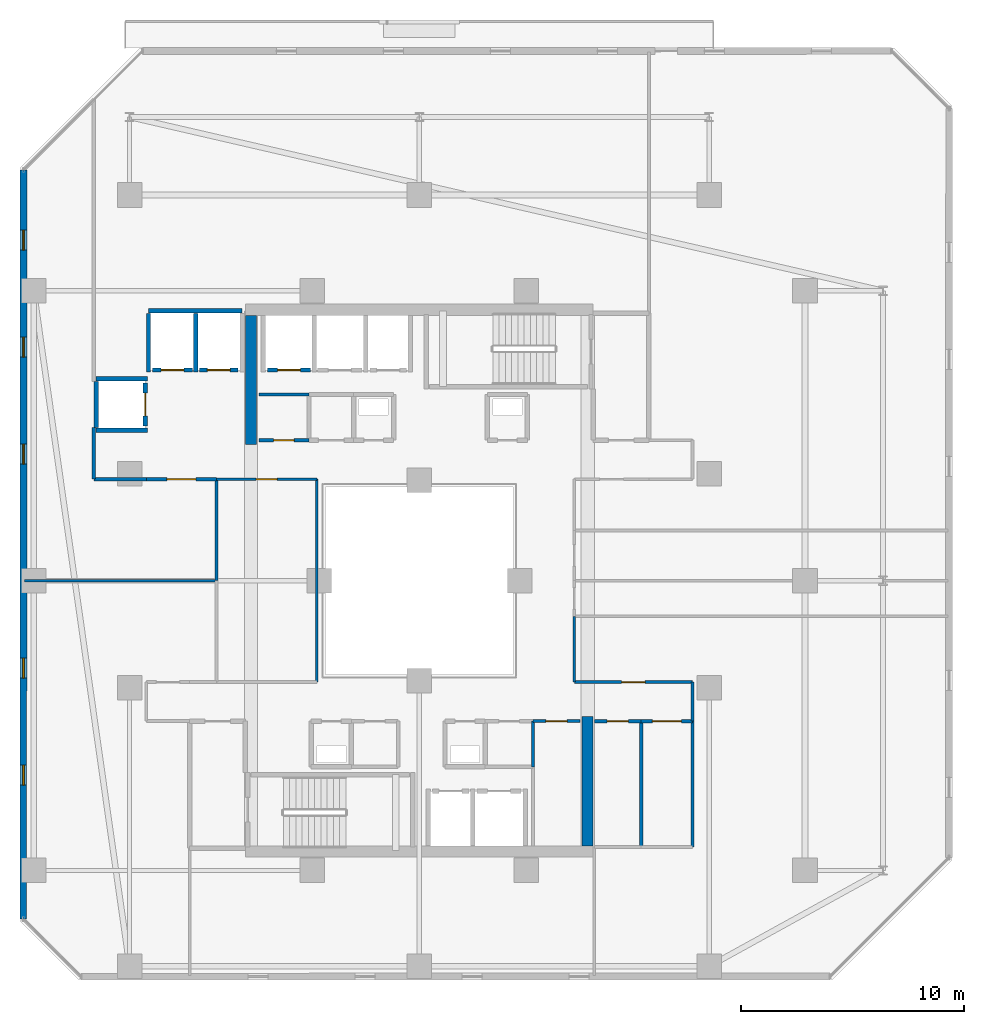
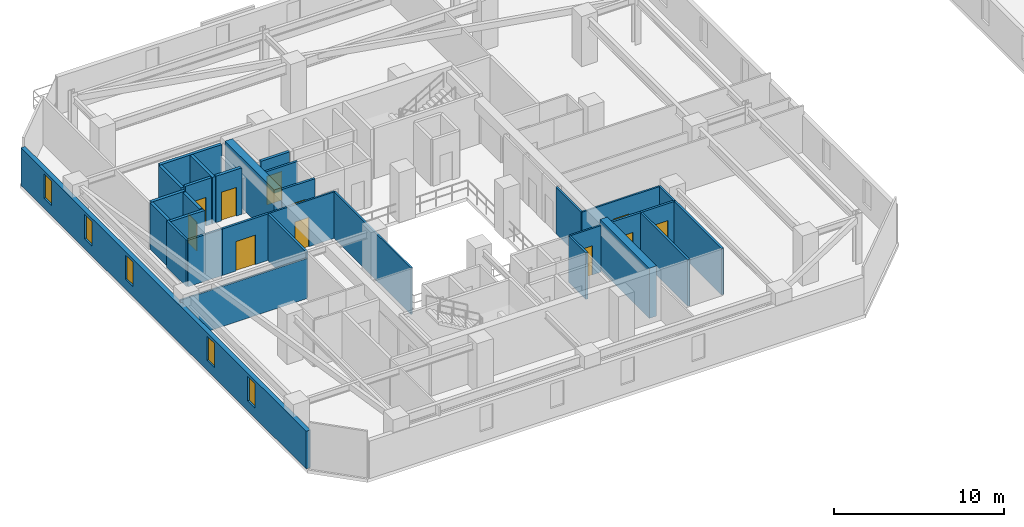
# One storey, part 20 of 33: 31 walls, 11 doors, 5 windows, 16 openings.
"""IFC4 building model written with IfcOpenShell, lengths in metres."""

from ifc_helpers import new_model, si_unit, direction, frame, frame_2d, origin, place, context, subcontext, project, spatial, rectangle, extrude, material, layer, layer_set, type_object, element, fill, save


model = new_model("IFC4")

# Units and contexts
model_context = context("Model", 3, precision=1e-05, world=origin(), true_north=direction((0.0, 1.0)))
body_context = subcontext(model_context, "Body", "Model", "MODEL_VIEW")
ifc_project = project(units=[si_unit("LENGTHUNIT", "METRE"), si_unit("AREAUNIT", "SQUARE_METRE"), si_unit("VOLUMEUNIT", "CUBIC_METRE"), si_unit("PLANEANGLEUNIT", "RADIAN"), si_unit("MASSUNIT", "GRAM", prefix="KILO")], contexts=[model_context])

# Site, building, storey
site_placement = place(None, origin())
site = spatial("IfcSite", under=ifc_project, at=site_placement, CompositionType="ELEMENT")
building_placement = place(site_placement, origin())
building = spatial("IfcBuilding", under=site, at=building_placement, Name="Thornwick Lancets Civic Towers", CompositionType="ELEMENT")
storey_placement = place(building_placement, frame((0.0, 0.0, 185.699951171875)))
storey = spatial("IfcBuildingStorey", under=building, at=storey_placement, Name="L49", CompositionType="ELEMENT", Elevation=185.699951171875)

# Wall, opening, door
ifc_material_1 = material(Name="Concrete blockwork C40/50", Category="masonry")
ifc_layer_1 = layer(ifc_material_1, 0.199951171875, Name="Concrete blockwork C40/50")
ifc_layer_set_1 = layer_set([ifc_layer_1], Name="Concrete blockwork C40/50")
wall_type_1 = type_object("IfcWallType", Name="WALL_COMP_200", PredefinedType="STANDARD", material=ifc_layer_set_1)
wall_1_placement = place(storey_placement, frame((20.6201171875, 36.449951171875, 0.0), z_axis=(0.0, 0.0, 1.0), x_axis=(-1.0, 0.0, 0.0)))
wall_1 = element("IfcWall", 1, at=wall_1_placement, inside=storey, type_object=wall_type_1, Name="L49 Hoistway Front Wall PL-AH3", PredefinedType="STANDARD", context=body_context, shape_type="SweptSolid", body=[
    extrude(rectangle(XDim=1.940185546875, YDim=0.199951171875, at=frame_2d((0.97021484375, 0.0))), origin(), (0.0, 0.0, 1.0), 3.340087890625),
])
opening_1_placement = place(wall_1_placement, frame((0.4599609375, 0.0, 0.0)))
opening_1 = element("IfcOpeningElement", 2, at=opening_1_placement, cuts=wall_1, Name="Opening LD-PL-AH3", PredefinedType="OPENING", context=body_context, shape_type="SweptSolid", body=[
    extrude(rectangle(XDim=1.02001953125, YDim=2.06005859375, at=frame_2d((0.510009765625, 1.030029296875))), frame((0.0, 0.10986328125, 0.0), z_axis=(0.0, -1.0, 0.0), x_axis=(1.0, 0.0, 0.0)), (0.0, 0.0, 1.0), 0.219970703125),
])
ifc_material_2 = material(Name="Brushed bronze stainless steel", Category="steel")
door_type_1 = type_object("IfcDoorType", Name="DOOR_LIFT_SLIDE", OperationType="SLIDING_TO_LEFT", PredefinedType="DOOR", material=ifc_material_2)
door_1_placement = place(opening_1_placement, origin())
door_1 = element("IfcDoor", 3, at=door_1_placement, inside=storey, type_object=door_type_1, Name="L49 Sliding Lift Landing Door LD-PL-AH3", OperationType="SLIDING_TO_LEFT", OverallHeight=2.06005859375, OverallWidth=1.02001953125, PredefinedType="DOOR", context=body_context, shape_type="SweptSolid", body=[
    extrude(rectangle(XDim=1.02001953125, YDim=2.06005859375, at=frame_2d((0.510009765625, 1.030029296875))), frame((0.0, 0.02490234375, 0.0), z_axis=(0.0, -1.0, 0.0), x_axis=(1.0, 0.0, 0.0)), (0.0, 0.0, 1.0), 0.050048828125),
])
fill(opening_1, door_1)

wall_2_placement = place(storey_placement, frame((17.3701171875, 36.449951171875, 0.0), z_axis=(0.0, 0.0, 1.0), x_axis=(-1.0, 0.0, 0.0)))
wall_2 = element("IfcWall", 4, at=wall_2_placement, inside=storey, type_object=wall_type_1, Name="L49 Hoistway Front Wall PL-AM1", PredefinedType="STANDARD", context=body_context, shape_type="SweptSolid", body=[
    extrude(rectangle(XDim=1.740234375, YDim=0.199951171875, at=frame_2d((0.8701171875, 0.0))), origin(), (0.0, 0.0, 1.0), 3.340087890625),
])
opening_2_placement = place(wall_2_placement, frame((0.360107421875, 0.0, 0.0)))
opening_2 = element("IfcOpeningElement", 5, at=opening_2_placement, cuts=wall_2, Name="Opening LD-PL-AM1", PredefinedType="OPENING", context=body_context, shape_type="SweptSolid", body=[
    extrude(rectangle(XDim=1.02001953125, YDim=2.06005859375, at=frame_2d((0.510009765625, 1.030029296875))), frame((0.0, 0.10986328125, 0.0), z_axis=(0.0, -1.0, 0.0), x_axis=(1.0, 0.0, 0.0)), (0.0, 0.0, 1.0), 0.219970703125),
])
door_2_placement = place(opening_2_placement, origin())
door_2 = element("IfcDoor", 6, at=door_2_placement, inside=storey, type_object=door_type_1, Name="L49 Sliding Lift Landing Door LD-PL-AM1", OperationType="SLIDING_TO_LEFT", OverallHeight=2.06005859375, OverallWidth=1.02001953125, PredefinedType="DOOR", context=body_context, shape_type="SweptSolid", body=[
    extrude(rectangle(XDim=1.02001953125, YDim=2.06005859375, at=frame_2d((0.510009765625, 1.030029296875))), frame((0.0, 0.02490234375, 0.0), z_axis=(0.0, -1.0, 0.0), x_axis=(1.0, 0.0, 0.0)), (0.0, 0.0, 1.0), 0.050048828125),
])
fill(opening_2, door_2)

wall_3_placement = place(storey_placement, frame((15.320068359375, 36.449951171875, 0.0), z_axis=(0.0, 0.0, 1.0), x_axis=(-1.0, 0.0, 0.0)))
wall_3 = element("IfcWall", 7, at=wall_3_placement, inside=storey, type_object=wall_type_1, Name="L49 Hoistway Front Wall PL-AM2", PredefinedType="STANDARD", context=body_context, shape_type="SweptSolid", body=[
    extrude(rectangle(XDim=1.7900390625, YDim=0.199951171875, at=frame_2d((0.89501953125, 0.0))), origin(), (0.0, 0.0, 1.0), 3.340087890625),
])
opening_3_placement = place(wall_3_placement, frame((0.385009765625, 0.0, 0.0)))
opening_3 = element("IfcOpeningElement", 8, at=opening_3_placement, cuts=wall_3, Name="Opening LD-PL-AM2", PredefinedType="OPENING", context=body_context, shape_type="SweptSolid", body=[
    extrude(rectangle(XDim=1.02001953125, YDim=2.06005859375, at=frame_2d((0.510009765625, 1.030029296875))), frame((0.0, 0.10986328125, 0.0), z_axis=(0.0, -1.0, 0.0), x_axis=(1.0, 0.0, 0.0)), (0.0, 0.0, 1.0), 0.219970703125),
])
door_3_placement = place(opening_3_placement, origin())
door_3 = element("IfcDoor", 9, at=door_3_placement, inside=storey, type_object=door_type_1, Name="L49 Sliding Lift Landing Door LD-PL-AM2", OperationType="SLIDING_TO_LEFT", OverallHeight=2.06005859375, OverallWidth=1.02001953125, PredefinedType="DOOR", context=body_context, shape_type="SweptSolid", body=[
    extrude(rectangle(XDim=1.02001953125, YDim=2.06005859375, at=frame_2d((0.510009765625, 1.030029296875))), frame((0.0, 0.02490234375, 0.0), z_axis=(0.0, -1.0, 0.0), x_axis=(1.0, 0.0, 0.0)), (0.0, 0.0, 1.0), 0.050048828125),
])
fill(opening_3, door_3)

wall_4_placement = place(storey_placement, frame((13.199951171875, 33.929931640625, 0.0), z_axis=(0.0, 0.0, 1.0), x_axis=(0.0, 1.0, 0.0)))
wall_4 = element("IfcWall", 10, at=wall_4_placement, inside=storey, type_object=wall_type_1, Name="L49 Hoistway Front Wall PL-AM3", PredefinedType="STANDARD", context=body_context, shape_type="SweptSolid", body=[
    extrude(rectangle(XDim=1.940185546875, YDim=0.199951171875, at=frame_2d((0.97021484375, 0.0))), origin(), (0.0, 0.0, 1.0), 3.340087890625),
])
opening_4_placement = place(wall_4_placement, frame((0.4599609375, 0.0, 0.0)))
opening_4 = element("IfcOpeningElement", 11, at=opening_4_placement, cuts=wall_4, Name="Opening LD-PL-AM3", PredefinedType="OPENING", context=body_context, shape_type="SweptSolid", body=[
    extrude(rectangle(XDim=1.02001953125, YDim=2.06005859375, at=frame_2d((0.510009765625, 1.030029296875))), frame((0.0, 0.10986328125, 0.0), z_axis=(0.0, -1.0, 0.0), x_axis=(1.0, 0.0, 0.0)), (0.0, 0.0, 1.0), 0.219970703125),
])
door_4_placement = place(opening_4_placement, origin())
door_4 = element("IfcDoor", 12, at=door_4_placement, inside=storey, type_object=door_type_1, Name="L49 Sliding Lift Landing Door LD-PL-AM3", OperationType="SLIDING_TO_LEFT", OverallHeight=2.06005859375, OverallWidth=1.02001953125, PredefinedType="DOOR", context=body_context, shape_type="SweptSolid", body=[
    extrude(rectangle(XDim=1.02001953125, YDim=2.06005859375, at=frame_2d((0.510009765625, 1.030029296875))), frame((0.0, 0.02490234375, 0.0), z_axis=(0.0, -1.0, 0.0), x_axis=(1.0, 0.0, 0.0)), (0.0, 0.0, 1.0), 0.050048828125),
])
fill(opening_4, door_4)

# Walls
wall_5_placement = place(storey_placement, frame((13.35205078125, 39.10009765625, 0.0), z_axis=(0.0, 0.0, 1.0), x_axis=(1.0, 0.0, 0.0)))
element("IfcWall", 13, at=wall_5_placement, inside=storey, type_object=wall_type_1, Name="L49 Hoistway Shaft Wall PL-AM1 N", PredefinedType="STANDARD", context=body_context, shape_type="SweptSolid", body=[
    extrude(rectangle(XDim=4.196044921875, YDim=0.199951171875, at=frame_2d((2.09814453125, 0.0))), origin(), (0.0, 0.0, 1.0), 3.340087890625),
])
for number, where, z_axis, x_axis, name in (
    (14, (15.47509765625, 36.35205078125, 0.0), (0.0, 0.0, 1.0), (0.0, 1.0, 0.0), "L49 Hoistway Shaft Wall PL-AM1 W"),
    (15, (13.35009765625, 36.35205078125, 0.0), (0.0, 0.0, 1.0), (0.0, 1.0, 0.0), "L49 Hoistway Shaft Wall PL-AM2 W"),
):
    element("IfcWall", number, at=place(storey_placement, frame(where, z_axis=z_axis, x_axis=x_axis)), inside=storey, type_object=wall_type_1, Name=name, PredefinedType="STANDARD", context=body_context, shape_type="SweptSolid", body=[
        extrude(rectangle(XDim=2.635986328125, YDim=0.199951171875, at=frame_2d((1.31787109375, 0.0))), origin(), (0.0, 0.0, 1.0), 3.340087890625),
    ])
for number, where, z_axis, x_axis, name in (
    (16, (11.001953125, 36.050048828125, 0.0), (0.0, 0.0, 1.0), (1.0, 0.0, 0.0), "L49 Hoistway Shaft Wall PL-AM3 N"),
    (17, (11.001953125, 33.75, 0.0), (0.0, 0.0, 1.0), (1.0, 0.0, 0.0), "L49 Hoistway Shaft Wall PL-AM3 S"),
):
    element("IfcWall", number, at=place(storey_placement, frame(where, z_axis=z_axis, x_axis=x_axis)), inside=storey, type_object=wall_type_1, Name=name, PredefinedType="STANDARD", context=body_context, shape_type="SweptSolid", body=[
        extrude(rectangle(XDim=2.296142578125, YDim=0.199951171875, at=frame_2d((1.14794921875, 0.0))), origin(), (0.0, 0.0, 1.0), 3.340087890625),
    ])
wall_6_placement = place(storey_placement, frame((11.0, 33.862060546875, 0.0), z_axis=(0.0, 0.0, 1.0), x_axis=(0.0, 1.0, 0.0)))
element("IfcWall", 18, at=wall_6_placement, inside=storey, type_object=wall_type_1, Name="L49 Hoistway Shaft Wall PL-AM3 W", PredefinedType="STANDARD", context=body_context, shape_type="SweptSolid", body=[
    extrude(rectangle(XDim=2.075927734375, YDim=0.199951171875, at=frame_2d((1.0380859375, 0.0))), origin(), (0.0, 0.0, 1.0), 3.340087890625),
])
ifc_material_3 = material(Name="Concrete C50/60", Category="concrete")
ifc_layer_2 = layer(ifc_material_3, 0.5, Name="Concrete C50/60")
ifc_layer_set_2 = layer_set([ifc_layer_2], Name="Concrete C50/60")
wall_type_2 = type_object("IfcWallType", Name="WALL_CORE_500", PredefinedType="SHEAR", material=ifc_layer_set_2)
for number, where, z_axis, x_axis, name in (
    (19, (33.050048828125, 15.10009765625, 0.0), (0.0, 0.0, 1.0), (0.0, 1.0, 0.0), "L49 Split Core A1 Shear Wall E"),
    (20, (17.949951171875, 33.10009765625, 0.0), (0.0, 0.0, 1.0), (0.0, 1.0, 0.0), "L49 Split Core A2 Shear Wall W"),
):
    element("IfcWall", number, at=place(storey_placement, frame(where, z_axis=z_axis, x_axis=x_axis)), inside=storey, type_object=wall_type_2, Name=name, PredefinedType="SHEAR", context=body_context, shape_type="SweptSolid", body=[
        extrude(rectangle(XDim=5.7998046875, YDim=0.5, at=frame_2d((2.89990234375, 0.0))), origin(), (0.0, 0.0, 1.0), 3.60009765625),
    ])

# Wall, openings, windows
ifc_material_4 = material(Name="Insulated russet terracotta rainscreen on concrete C40/50", Category="masonry")
ifc_layer_3 = layer(ifc_material_4, 0.300048828125, Name="Insulated russet terracotta rainscreen on concrete C40/50")
ifc_layer_set_3 = layer_set([ifc_layer_3], Name="Insulated russet terracotta rainscreen on concrete C40/50")
wall_type_3 = type_object("IfcWallType", Name="WALL_EXT_RUSSET_300", PredefinedType="STANDARD", material=ifc_layer_set_3)
wall_7_placement = place(storey_placement, frame((7.744384765625, 45.423583984375, 0.0), z_axis=(0.0, 0.0, 1.0), x_axis=(-0.000268805477, -0.999999963872, 0.0)))
wall_7 = element("IfcWall", 21, at=wall_7_placement, inside=storey, type_object=wall_type_3, Name="L49 Tower A Terracotta Facade Wall E6", PredefinedType="STANDARD", context=body_context, shape_type="SweptSolid", body=[
    extrude(rectangle(XDim=33.60498046875, YDim=0.300048828125, at=frame_2d((16.802490234375, 0.0))), origin(), (0.0, 0.0, 1.0), 2.699951171875),
])
opening_5_placement = place(wall_7_placement, frame((2.699951171875, 0.0, 0.719970703125)))
opening_5 = element("IfcOpeningElement", 22, at=opening_5_placement, cuts=wall_7, Name="Opening WL-01", PredefinedType="OPENING", context=body_context, shape_type="SweptSolid", body=[
    extrude(rectangle(XDim=0.89990234375, YDim=1.75, at=frame_2d((0.449951171875, 0.875))), frame((0.0, 0.16015625, 0.0), z_axis=(0.0, -1.0, 0.0), x_axis=(1.0, 0.0, 0.0)), (0.0, 0.0, 1.0), 0.320068359375),
])
opening_6_placement = place(wall_7_placement, frame((7.5, 0.0, 0.719970703125)))
opening_6 = element("IfcOpeningElement", 23, at=opening_6_placement, cuts=wall_7, Name="Opening WL-01", PredefinedType="OPENING", context=body_context, shape_type="SweptSolid", body=[
    extrude(rectangle(XDim=0.89990234375, YDim=1.75, at=frame_2d((0.449951171875, 0.875))), frame((0.0, 0.16015625, 0.0), z_axis=(0.0, -1.0, 0.0), x_axis=(1.0, 0.0, 0.0)), (0.0, 0.0, 1.0), 0.320068359375),
])
opening_7_placement = place(wall_7_placement, frame((12.300048828125, 0.0, 0.719970703125)))
opening_7 = element("IfcOpeningElement", 24, at=opening_7_placement, cuts=wall_7, Name="Opening WL-01", PredefinedType="OPENING", context=body_context, shape_type="SweptSolid", body=[
    extrude(rectangle(XDim=0.89990234375, YDim=1.75, at=frame_2d((0.449951171875, 0.875))), frame((0.0, 0.16015625, 0.0), z_axis=(0.0, -1.0, 0.0), x_axis=(1.0, 0.0, 0.0)), (0.0, 0.0, 1.0), 0.320068359375),
])
opening_8_placement = place(wall_7_placement, frame((21.89990234375, 0.0, 0.719970703125)))
opening_8 = element("IfcOpeningElement", 25, at=opening_8_placement, cuts=wall_7, Name="Opening WL-01", PredefinedType="OPENING", context=body_context, shape_type="SweptSolid", body=[
    extrude(rectangle(XDim=0.89990234375, YDim=1.75, at=frame_2d((0.449951171875, 0.875))), frame((0.0, 0.16015625, 0.0), z_axis=(0.0, -1.0, 0.0), x_axis=(1.0, 0.0, 0.0)), (0.0, 0.0, 1.0), 0.320068359375),
])
opening_9_placement = place(wall_7_placement, frame((26.699951171875, 0.0, 0.719970703125)))
opening_9 = element("IfcOpeningElement", 26, at=opening_9_placement, cuts=wall_7, Name="Opening WL-01", PredefinedType="OPENING", context=body_context, shape_type="SweptSolid", body=[
    extrude(rectangle(XDim=0.89990234375, YDim=1.75, at=frame_2d((0.449951171875, 0.875))), frame((0.0, 0.16015625, 0.0), z_axis=(0.0, -1.0, 0.0), x_axis=(1.0, 0.0, 0.0)), (0.0, 0.0, 1.0), 0.320068359375),
])
ifc_material_5 = material(Name="Clear low-e double glazing in bronze frame", Category="glass")
window_type = type_object("IfcWindowType", Name="WIN_LANCET_900", PartitioningType="SINGLE_PANEL", PredefinedType="WINDOW", material=ifc_material_5)
window_1_placement = place(opening_5_placement, origin())
window_1 = element("IfcWindow", 27, at=window_1_placement, inside=storey, type_object=window_type, Name="L49 Tower A Staggered Lancet Window E6-1", OverallHeight=1.75, OverallWidth=0.89990234375, PartitioningType="SINGLE_PANEL", PredefinedType="WINDOW", context=body_context, shape_type="SweptSolid", body=[
    extrude(rectangle(XDim=0.89990234375, YDim=1.75, at=frame_2d((0.449951171875, 0.875))), frame((0.0, 0.030029296875, 0.0), z_axis=(0.0, -1.0, 0.0), x_axis=(1.0, 0.0, 0.0)), (0.0, 0.0, 1.0), 0.06005859375),
])
fill(opening_5, window_1)
window_2_placement = place(opening_6_placement, origin())
window_2 = element("IfcWindow", 28, at=window_2_placement, inside=storey, type_object=window_type, Name="L49 Tower A Staggered Lancet Window E6-2", OverallHeight=1.75, OverallWidth=0.89990234375, PartitioningType="SINGLE_PANEL", PredefinedType="WINDOW", context=body_context, shape_type="SweptSolid", body=[
    extrude(rectangle(XDim=0.89990234375, YDim=1.75, at=frame_2d((0.449951171875, 0.875))), frame((0.0, 0.030029296875, 0.0), z_axis=(0.0, -1.0, 0.0), x_axis=(1.0, 0.0, 0.0)), (0.0, 0.0, 1.0), 0.06005859375),
])
fill(opening_6, window_2)
window_3_placement = place(opening_7_placement, origin())
window_3 = element("IfcWindow", 29, at=window_3_placement, inside=storey, type_object=window_type, Name="L49 Tower A Staggered Lancet Window E6-3", OverallHeight=1.75, OverallWidth=0.89990234375, PartitioningType="SINGLE_PANEL", PredefinedType="WINDOW", context=body_context, shape_type="SweptSolid", body=[
    extrude(rectangle(XDim=0.89990234375, YDim=1.75, at=frame_2d((0.449951171875, 0.875))), frame((0.0, 0.030029296875, 0.0), z_axis=(0.0, -1.0, 0.0), x_axis=(1.0, 0.0, 0.0)), (0.0, 0.0, 1.0), 0.06005859375),
])
fill(opening_7, window_3)
window_4_placement = place(opening_8_placement, origin())
window_4 = element("IfcWindow", 30, at=window_4_placement, inside=storey, type_object=window_type, Name="L49 Tower A Staggered Lancet Window E6-4", OverallHeight=1.75, OverallWidth=0.89990234375, PartitioningType="SINGLE_PANEL", PredefinedType="WINDOW", context=body_context, shape_type="SweptSolid", body=[
    extrude(rectangle(XDim=0.89990234375, YDim=1.75, at=frame_2d((0.449951171875, 0.875))), frame((0.0, 0.030029296875, 0.0), z_axis=(0.0, -1.0, 0.0), x_axis=(1.0, 0.0, 0.0)), (0.0, 0.0, 1.0), 0.06005859375),
])
fill(opening_8, window_4)
window_5_placement = place(opening_9_placement, origin())
window_5 = element("IfcWindow", 31, at=window_5_placement, inside=storey, type_object=window_type, Name="L49 Tower A Staggered Lancet Window E6-5", OverallHeight=1.75, OverallWidth=0.89990234375, PartitioningType="SINGLE_PANEL", PredefinedType="WINDOW", context=body_context, shape_type="SweptSolid", body=[
    extrude(rectangle(XDim=0.89990234375, YDim=1.75, at=frame_2d((0.449951171875, 0.875))), frame((0.0, 0.030029296875, 0.0), z_axis=(0.0, -1.0, 0.0), x_axis=(1.0, 0.0, 0.0)), (0.0, 0.0, 1.0), 0.06005859375),
])
fill(opening_9, window_5)

# Wall, opening, door
ifc_material_6 = material(Name="Acoustic gypsum board partition")
ifc_layer_4 = layer(ifc_material_6, 0.1201171875, Name="Acoustic gypsum board partition")
ifc_layer_set_4 = layer_set([ifc_layer_4], Name="Acoustic gypsum board partition")
wall_type_4 = type_object("IfcWallType", Name="WALL_PART_120", PredefinedType="PARTITIONING", material=ifc_layer_set_4)
wall_8_placement = place(storey_placement, frame((30.60009765625, 20.699951171875, 0.0), z_axis=(0.0, 0.0, 1.0), x_axis=(1.0, 0.0, 0.0)))
wall_8 = element("IfcWall", 32, at=wall_8_placement, inside=storey, type_object=wall_type_4, Name="L49 Partition L49-A-ITR E5", PredefinedType="PARTITIONING", context=body_context, shape_type="SweptSolid", body=[
    extrude(rectangle(XDim=2.099853515625, YDim=0.1201171875, at=frame_2d((1.0498046875, 0.0))), origin(), (0.0, 0.0, 1.0), 3.340087890625),
])
opening_10_placement = place(wall_8_placement, frame((0.574951171875, 0.0, 0.0)))
opening_10 = element("IfcOpeningElement", 33, at=opening_10_placement, cuts=wall_8, Name="Opening D-L49-2169", PredefinedType="OPENING", context=body_context, shape_type="SweptSolid", body=[
    extrude(rectangle(XDim=0.949951171875, YDim=2.10009765625, at=frame_2d((0.47509765625, 1.050048828125))), frame((0.0, 0.070068359375, 0.0), z_axis=(0.0, -1.0, 0.0), x_axis=(1.0, 0.0, 0.0)), (0.0, 0.0, 1.0), 0.14013671875),
])
ifc_material_7 = material(Name="European oak acoustic doorset")
door_type_2 = type_object("IfcDoorType", Name="DOOR_OFFICE_950", OperationType="NOTDEFINED", PredefinedType="DOOR", material=ifc_material_7)
door_5_placement = place(opening_10_placement, origin())
door_5 = element("IfcDoor", 34, at=door_5_placement, inside=storey, type_object=door_type_2, Name="L49 Tower A Comms Patch Room Door", OperationType="SINGLE_SWING_RIGHT", OverallHeight=2.10009765625, OverallWidth=0.949951171875, PredefinedType="DOOR", context=body_context, shape_type="SweptSolid", body=[
    extrude(rectangle(XDim=0.949951171875, YDim=2.10009765625, at=frame_2d((0.47509765625, 1.050048828125))), frame((0.0, 0.02490234375, 0.0), z_axis=(0.0, -1.0, 0.0), x_axis=(1.0, 0.0, 0.0)), (0.0, 0.0, 1.0), 0.050048828125),
])
fill(opening_10, door_5)

# Wall
wall_9_placement = place(storey_placement, frame((7.780029296875, 27.0, 0.0), z_axis=(0.0, 0.0, 1.0), x_axis=(1.0, 0.0, 0.0)))
element("IfcWall", 35, at=wall_9_placement, inside=storey, type_object=wall_type_4, Name="L49 Partition L49-A-W1 E2", PredefinedType="PARTITIONING", context=body_context, shape_type="SweptSolid", body=[
    extrude(rectangle(XDim=8.619873046875, YDim=0.1201171875, at=frame_2d((4.31005859375, 0.0))), origin(), (0.0, 0.0, 1.0), 2.8779296875),
])

# Wall, opening, door
wall_10_placement = place(storey_placement, frame((16.39990234375, 31.550048828125, 0.0), z_axis=(0.0, 0.0, 1.0), x_axis=(1.0, 0.0, 0.0)))
wall_10 = element("IfcWall", 36, at=wall_10_placement, inside=storey, type_object=wall_type_4, Name="L49 Partition L49-A-W3 E3", PredefinedType="PARTITIONING", context=body_context, shape_type="SweptSolid", body=[
    extrude(rectangle(XDim=4.5, YDim=0.1201171875, at=frame_2d((2.25, 0.0))), origin(), (0.0, 0.0, 1.0), 3.340087890625),
])
opening_11_placement = place(wall_10_placement, frame((1.77490234375, 0.0, 0.0)))
opening_11 = element("IfcOpeningElement", 37, at=opening_11_placement, cuts=wall_10, Name="Opening D-L49-2187", PredefinedType="OPENING", context=body_context, shape_type="SweptSolid", body=[
    extrude(rectangle(XDim=0.949951171875, YDim=2.10009765625, at=frame_2d((0.47509765625, 1.050048828125))), frame((0.0, 0.070068359375, 0.0), z_axis=(0.0, -1.0, 0.0), x_axis=(1.0, 0.0, 0.0)), (0.0, 0.0, 1.0), 0.14013671875),
])
door_6_placement = place(opening_11_placement, origin())
door_6 = element("IfcDoor", 38, at=door_6_placement, inside=storey, type_object=door_type_2, Name="L49 Tower A West Atrium Reading Lounge Door", OperationType="SINGLE_SWING_RIGHT", OverallHeight=2.10009765625, OverallWidth=0.949951171875, PredefinedType="DOOR", context=body_context, shape_type="SweptSolid", body=[
    extrude(rectangle(XDim=0.949951171875, YDim=2.10009765625, at=frame_2d((0.47509765625, 1.050048828125))), frame((0.0, 0.02490234375, 0.0), z_axis=(0.0, -1.0, 0.0), x_axis=(1.0, 0.0, 0.0)), (0.0, 0.0, 1.0), 0.050048828125),
])
fill(opening_11, door_6)

# Walls
wall_11_placement = place(storey_placement, frame((20.89990234375, 31.550048828125, 0.0), z_axis=(0.0, 0.0, 1.0), x_axis=(0.0, -1.0, 0.0)))
element("IfcWall", 39, at=wall_11_placement, inside=storey, type_object=wall_type_4, Name="L49 Partition L49-A-W3 E4", PredefinedType="PARTITIONING", context=body_context, shape_type="SweptSolid", body=[
    extrude(rectangle(XDim=9.10009765625, YDim=0.1201171875, at=frame_2d((4.550048828125, 0.0))), origin(), (0.0, 0.0, 1.0), 3.340087890625),
])
wall_12_placement = place(storey_placement, frame((37.75, 20.699951171875, 0.0), z_axis=(0.0, 0.0, 1.0), x_axis=(0.0, 1.0, 0.0)))
element("IfcWall", 40, at=wall_12_placement, inside=storey, type_object=wall_type_4, Name="L49 Partition L49-A-E1 E4", PredefinedType="PARTITIONING", context=body_context, shape_type="SweptSolid", body=[
    extrude(rectangle(XDim=1.75, YDim=0.1201171875, at=frame_2d((0.875, 0.0))), origin(), (0.0, 0.0, 1.0), 3.340087890625),
])

# Wall, opening, door
wall_13_placement = place(storey_placement, frame((37.75, 22.449951171875, 0.0), z_axis=(0.0, 0.0, 1.0), x_axis=(-1.0, 0.0, 0.0)))
wall_13 = element("IfcWall", 41, at=wall_13_placement, inside=storey, type_object=wall_type_4, Name="L49 Partition L49-A-E1 E5", PredefinedType="PARTITIONING", context=body_context, shape_type="SweptSolid", body=[
    extrude(rectangle(XDim=5.300048828125, YDim=0.1201171875, at=frame_2d((2.64990234375, 0.0))), origin(), (0.0, 0.0, 1.0), 3.340087890625),
])
opening_12_placement = place(wall_13_placement, frame((2.125, 0.0, 0.0)))
opening_12 = element("IfcOpeningElement", 42, at=opening_12_placement, cuts=wall_13, Name="Opening D-L49-2188", PredefinedType="OPENING", context=body_context, shape_type="SweptSolid", body=[
    extrude(rectangle(XDim=1.050048828125, YDim=2.10009765625, at=frame_2d((0.52490234375, 1.050048828125))), frame((0.0, 0.070068359375, 0.0), z_axis=(0.0, -1.0, 0.0), x_axis=(1.0, 0.0, 0.0)), (0.0, 0.0, 1.0), 0.14013671875),
])
ifc_material_8 = material(Name="Glazed European oak executive doorset")
door_type_3 = type_object("IfcDoorType", Name="DOOR_OFFICE_1050", OperationType="NOTDEFINED", PredefinedType="DOOR", material=ifc_material_8)
door_7_placement = place(opening_12_placement, origin())
door_7 = element("IfcDoor", 43, at=door_7_placement, inside=storey, type_object=door_type_3, Name="L49 Tower A Secretariat Open Office E1 Door", OperationType="SINGLE_SWING_LEFT", OverallHeight=2.10009765625, OverallWidth=1.050048828125, PredefinedType="DOOR", context=body_context, shape_type="SweptSolid", body=[
    extrude(rectangle(XDim=1.050048828125, YDim=2.10009765625, at=frame_2d((0.52490234375, 1.050048828125))), frame((0.0, 0.02490234375, 0.0), z_axis=(0.0, -1.0, 0.0), x_axis=(1.0, 0.0, 0.0)), (0.0, 0.0, 1.0), 0.050048828125),
])
fill(opening_12, door_7)

# Walls
wall_14_placement = place(storey_placement, frame((32.449951171875, 22.449951171875, 0.0), z_axis=(0.0, 0.0, 1.0), x_axis=(0.0, 1.0, 0.0)))
element("IfcWall", 44, at=wall_14_placement, inside=storey, type_object=wall_type_4, Name="L49 Partition L49-A-E1 E6", PredefinedType="PARTITIONING", context=body_context, shape_type="SweptSolid", body=[
    extrude(rectangle(XDim=2.949951171875, YDim=0.1201171875, at=frame_2d((1.47509765625, 0.0))), origin(), (0.0, 0.0, 1.0), 3.340087890625),
])
ifc_material_9 = material(Name="Twin-stud acoustic gypsum board")
ifc_layer_5 = layer(ifc_material_9, 0.14990234375, Name="Twin-stud acoustic gypsum board")
ifc_layer_set_5 = layer_set([ifc_layer_5], Name="Twin-stud acoustic gypsum board")
wall_type_5 = type_object("IfcWallType", Name="WALL_PART_150", PredefinedType="PARTITIONING", material=ifc_layer_set_5)
wall_15_placement = place(storey_placement, frame((30.60009765625, 20.699951171875, 0.0), z_axis=(0.0, 0.0, 1.0), x_axis=(0.0, -1.0, 0.0)))
element("IfcWall", 45, at=wall_15_placement, inside=storey, type_object=wall_type_5, Name="L49 Partition L49-A-FWC E1", PredefinedType="PARTITIONING", context=body_context, shape_type="SweptSolid", body=[
    extrude(rectangle(XDim=2.050048828125, YDim=0.14990234375, at=frame_2d((1.02490234375, 0.0))), origin(), (0.0, 0.0, 1.0), 3.340087890625),
])

# Wall, opening, door
wall_16_placement = place(storey_placement, frame((18.300048828125, 33.300048828125, 0.0), z_axis=(0.0, 0.0, 1.0), x_axis=(1.0, 0.0, 0.0)))
wall_16 = element("IfcWall", 46, at=wall_16_placement, inside=storey, type_object=wall_type_5, Name="L49 Partition L49-A-AWC E1", PredefinedType="PARTITIONING", context=body_context, shape_type="SweptSolid", body=[
    extrude(rectangle(XDim=2.25, YDim=0.14990234375, at=frame_2d((1.125, 0.0))), origin(), (0.0, 0.0, 1.0), 3.340087890625),
])
opening_13_placement = place(wall_16_placement, frame((0.6650390625, 0.0, 0.0)))
opening_13 = element("IfcOpeningElement", 47, at=opening_13_placement, cuts=wall_16, Name="Opening D-L49-2170", PredefinedType="OPENING", context=body_context, shape_type="SweptSolid", body=[
    extrude(rectangle(XDim=0.919921875, YDim=2.080078125, at=frame_2d((0.4599609375, 1.0400390625))), frame((0.0, 0.0849609375, 0.0), z_axis=(0.0, -1.0, 0.0), x_axis=(1.0, 0.0, 0.0)), (0.0, 0.0, 1.0), 0.169921875),
])
ifc_material_10 = material(Name="Moisture-resistant oak doorset")
door_type_4 = type_object("IfcDoorType", Name="DOOR_WC_900", OperationType="NOTDEFINED", PredefinedType="DOOR", material=ifc_material_10)
door_8_placement = place(opening_13_placement, origin())
door_8 = element("IfcDoor", 48, at=door_8_placement, inside=storey, type_object=door_type_4, Name="L49 Tower A Accessible WC Door", OperationType="SINGLE_SWING_LEFT", OverallHeight=2.080078125, OverallWidth=0.919921875, PredefinedType="DOOR", context=body_context, shape_type="SweptSolid", body=[
    extrude(rectangle(XDim=0.919921875, YDim=2.080078125, at=frame_2d((0.4599609375, 1.0400390625))), frame((0.0, 0.02490234375, 0.0), z_axis=(0.0, -1.0, 0.0), x_axis=(1.0, 0.0, 0.0)), (0.0, 0.0, 1.0), 0.050048828125),
])
fill(opening_13, door_8)

# Wall
wall_17_placement = place(storey_placement, frame((20.550048828125, 35.35009765625, 0.0), z_axis=(0.0, 0.0, 1.0), x_axis=(-1.0, 0.0, 0.0)))
element("IfcWall", 49, at=wall_17_placement, inside=storey, type_object=wall_type_5, Name="L49 Partition L49-A-AWC E3", PredefinedType="PARTITIONING", context=body_context, shape_type="SweptSolid", body=[
    extrude(rectangle(XDim=2.25, YDim=0.14990234375, at=frame_2d((1.125, 0.0))), origin(), (0.0, 0.0, 1.0), 3.340087890625),
])

# Wall, opening, door
wall_18_placement = place(storey_placement, frame((33.35009765625, 20.699951171875, 0.0), z_axis=(0.0, 0.0, 1.0), x_axis=(1.0, 0.0, 0.0)))
wall_18 = element("IfcWall", 50, at=wall_18_placement, inside=storey, type_object=wall_type_5, Name="L49 Partition L49-A-RECLAIM-L1 E3", PredefinedType="PARTITIONING", context=body_context, shape_type="SweptSolid", body=[
    extrude(rectangle(XDim=2.099853515625, YDim=0.14990234375, at=frame_2d((1.0498046875, 0.0))), origin(), (0.0, 0.0, 1.0), 3.340087890625),
])
opening_14_placement = place(wall_18_placement, frame((0.574951171875, 0.0, 0.0)))
opening_14 = element("IfcOpeningElement", 51, at=opening_14_placement, cuts=wall_18, Name="Opening D-L49-2183", PredefinedType="OPENING", context=body_context, shape_type="SweptSolid", body=[
    extrude(rectangle(XDim=0.949951171875, YDim=2.10009765625, at=frame_2d((0.47509765625, 1.050048828125))), frame((0.0, 0.0849609375, 0.0), z_axis=(0.0, -1.0, 0.0), x_axis=(1.0, 0.0, 0.0)), (0.0, 0.0, 1.0), 0.169921875),
])
door_9_placement = place(opening_14_placement, origin())
door_9 = element("IfcDoor", 52, at=door_9_placement, inside=storey, type_object=door_type_2, Name="L49 Tower A Policy Archive Door", OperationType="SINGLE_SWING_RIGHT", OverallHeight=2.10009765625, OverallWidth=0.949951171875, PredefinedType="DOOR", context=body_context, shape_type="SweptSolid", body=[
    extrude(rectangle(XDim=0.949951171875, YDim=2.10009765625, at=frame_2d((0.47509765625, 1.050048828125))), frame((0.0, 0.02490234375, 0.0), z_axis=(0.0, -1.0, 0.0), x_axis=(1.0, 0.0, 0.0)), (0.0, 0.0, 1.0), 0.050048828125),
])
fill(opening_14, door_9)

# Wall
wall_19_placement = place(storey_placement, frame((35.449951171875, 20.699951171875, 0.0), z_axis=(0.0, 0.0, 1.0), x_axis=(0.0, -1.0, 0.0)))
element("IfcWall", 53, at=wall_19_placement, inside=storey, type_object=wall_type_5, Name="L49 Partition L49-A-RECLAIM-L1 E4", PredefinedType="PARTITIONING", context=body_context, shape_type="SweptSolid", body=[
    extrude(rectangle(XDim=5.64990234375, YDim=0.14990234375, at=frame_2d((2.824951171875, 0.0))), origin(), (0.0, 0.0, 1.0), 3.340087890625),
])

# Wall, opening, door
wall_20_placement = place(storey_placement, frame((35.449951171875, 20.699951171875, 0.0), z_axis=(0.0, 0.0, 1.0), x_axis=(1.0, 0.0, 0.0)))
wall_20 = element("IfcWall", 54, at=wall_20_placement, inside=storey, type_object=wall_type_5, Name="L49 Partition L49-A-RECLAIM-L2 E3", PredefinedType="PARTITIONING", context=body_context, shape_type="SweptSolid", body=[
    extrude(rectangle(XDim=2.300048828125, YDim=0.14990234375, at=frame_2d((1.14990234375, 0.0))), origin(), (0.0, 0.0, 1.0), 3.340087890625),
])
opening_15_placement = place(wall_20_placement, frame((0.5, 0.0, 0.0)))
opening_15 = element("IfcOpeningElement", 55, at=opening_15_placement, cuts=wall_20, Name="Opening D-L49-2184", PredefinedType="OPENING", context=body_context, shape_type="SweptSolid", body=[
    extrude(rectangle(XDim=1.300048828125, YDim=2.1201171875, at=frame_2d((0.64990234375, 1.06005859375))), frame((0.0, 0.0849609375, 0.0), z_axis=(0.0, -1.0, 0.0), x_axis=(1.0, 0.0, 0.0)), (0.0, 0.0, 1.0), 0.169921875),
])
ifc_material_11 = material(Name="Acoustic oak leaf-and-a-half doorset")
door_type_5 = type_object("IfcDoorType", Name="DOOR_MEET_1300", OperationType="DOUBLE_DOOR_SINGLE_SWING", PredefinedType="DOOR", material=ifc_material_11)
door_10_placement = place(opening_15_placement, origin())
door_10 = element("IfcDoor", 56, at=door_10_placement, inside=storey, type_object=door_type_5, Name="L49 Tower A Ministerial Consultation Room Door", OperationType="DOUBLE_DOOR_SINGLE_SWING", OverallHeight=2.1201171875, OverallWidth=1.300048828125, PredefinedType="DOOR", context=body_context, shape_type="SweptSolid", body=[
    extrude(rectangle(XDim=1.300048828125, YDim=2.1201171875, at=frame_2d((0.64990234375, 1.06005859375))), frame((0.0, 0.02490234375, 0.0), z_axis=(0.0, -1.0, 0.0), x_axis=(1.0, 0.0, 0.0)), (0.0, 0.0, 1.0), 0.050048828125),
])
fill(opening_15, door_10)

# Wall
wall_21_placement = place(storey_placement, frame((37.75, 20.699951171875, 0.0), z_axis=(0.0, 0.0, 1.0), x_axis=(0.0, -1.0, 0.0)))
element("IfcWall", 57, at=wall_21_placement, inside=storey, type_object=wall_type_5, Name="L49 Partition L49-A-RECLAIM-L2 E4", PredefinedType="PARTITIONING", context=body_context, shape_type="SweptSolid", body=[
    extrude(rectangle(XDim=5.64990234375, YDim=0.14990234375, at=frame_2d((2.824951171875, 0.0))), origin(), (0.0, 0.0, 1.0), 3.340087890625),
])

# Wall, opening, door
wall_22_placement = place(storey_placement, frame((13.25, 31.550048828125, 0.0), z_axis=(0.0, 0.0, 1.0), x_axis=(1.0, 0.0, 0.0)))
wall_22 = element("IfcWall", 58, at=wall_22_placement, inside=storey, type_object=wall_type_5, Name="L49 Partition L49-A-W2 E1", PredefinedType="PARTITIONING", context=body_context, shape_type="SweptSolid", body=[
    extrude(rectangle(XDim=3.14990234375, YDim=0.14990234375, at=frame_2d((1.574951171875, 0.0))), origin(), (0.0, 0.0, 1.0), 3.340087890625),
])
opening_16_placement = place(wall_22_placement, frame((0.925048828125, 0.0, 0.0)))
opening_16 = element("IfcOpeningElement", 59, at=opening_16_placement, cuts=wall_22, Name="Opening D-L49-2186", PredefinedType="OPENING", context=body_context, shape_type="SweptSolid", body=[
    extrude(rectangle(XDim=1.300048828125, YDim=2.1201171875, at=frame_2d((0.64990234375, 1.06005859375))), frame((0.0, 0.0849609375, 0.0), z_axis=(0.0, -1.0, 0.0), x_axis=(1.0, 0.0, 0.0)), (0.0, 0.0, 1.0), 0.169921875),
])
door_11_placement = place(opening_16_placement, origin())
door_11 = element("IfcDoor", 60, at=door_11_placement, inside=storey, type_object=door_type_5, Name="L49 Tower A Policy Briefing Room W2 Door", OperationType="DOUBLE_DOOR_SINGLE_SWING", OverallHeight=2.1201171875, OverallWidth=1.300048828125, PredefinedType="DOOR", context=body_context, shape_type="SweptSolid", body=[
    extrude(rectangle(XDim=1.300048828125, YDim=2.1201171875, at=frame_2d((0.64990234375, 1.06005859375))), frame((0.0, 0.02490234375, 0.0), z_axis=(0.0, -1.0, 0.0), x_axis=(1.0, 0.0, 0.0)), (0.0, 0.0, 1.0), 0.050048828125),
])
fill(opening_16, door_11)

# Walls
wall_23_placement = place(storey_placement, frame((16.39990234375, 31.550048828125, 0.0), z_axis=(0.0, 0.0, 1.0), x_axis=(0.0, -1.0, 0.0)))
element("IfcWall", 61, at=wall_23_placement, inside=storey, type_object=wall_type_5, Name="L49 Partition L49-A-W2 E2", PredefinedType="PARTITIONING", context=body_context, shape_type="SweptSolid", body=[
    extrude(rectangle(XDim=4.550048828125, YDim=0.14990234375, at=frame_2d((2.27490234375, 0.0))), origin(), (0.0, 0.0, 1.0), 3.340087890625),
])
wall_24_placement = place(storey_placement, frame((10.89990234375, 33.862060546875, 0.0), z_axis=(0.0, 0.0, 1.0), x_axis=(0.0, -1.0, 0.0)))
element("IfcWall", 62, at=wall_24_placement, inside=storey, type_object=wall_type_5, Name="L49 Partition L49-A-W2 E6", PredefinedType="PARTITIONING", context=body_context, shape_type="SweptSolid", body=[
    extrude(rectangle(XDim=2.31201171875, YDim=0.14990234375, at=frame_2d((1.156005859375, 0.0))), origin(), (0.0, 0.0, 1.0), 3.340087890625),
])
wall_25_placement = place(storey_placement, frame((10.89990234375, 31.550048828125, 0.0), z_axis=(0.0, 0.0, 1.0), x_axis=(1.0, 0.0, 0.0)))
element("IfcWall", 63, at=wall_25_placement, inside=storey, type_object=wall_type_5, Name="L49 Partition L49-A-W2 E7", PredefinedType="PARTITIONING", context=body_context, shape_type="SweptSolid", body=[
    extrude(rectangle(XDim=2.35009765625, YDim=0.14990234375, at=frame_2d((1.175048828125, 0.0))), origin(), (0.0, 0.0, 1.0), 3.340087890625),
])

save(model, "model.ifc")
